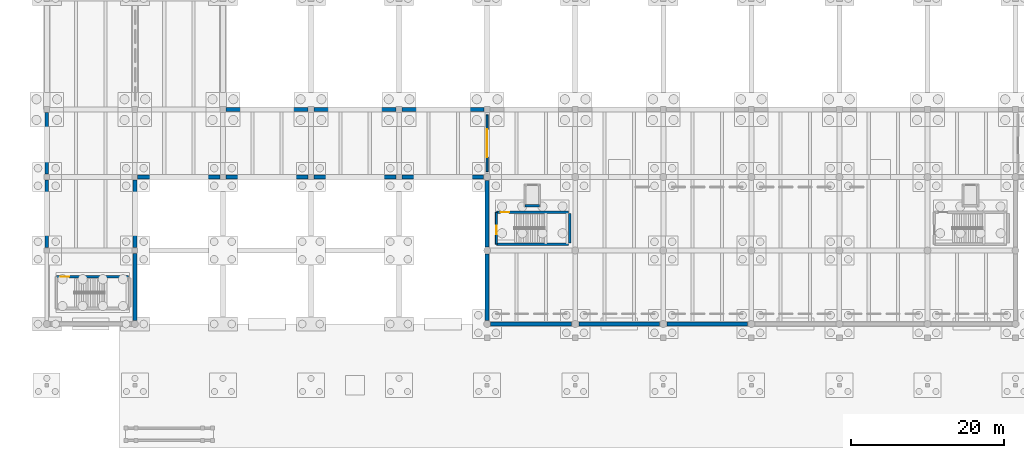
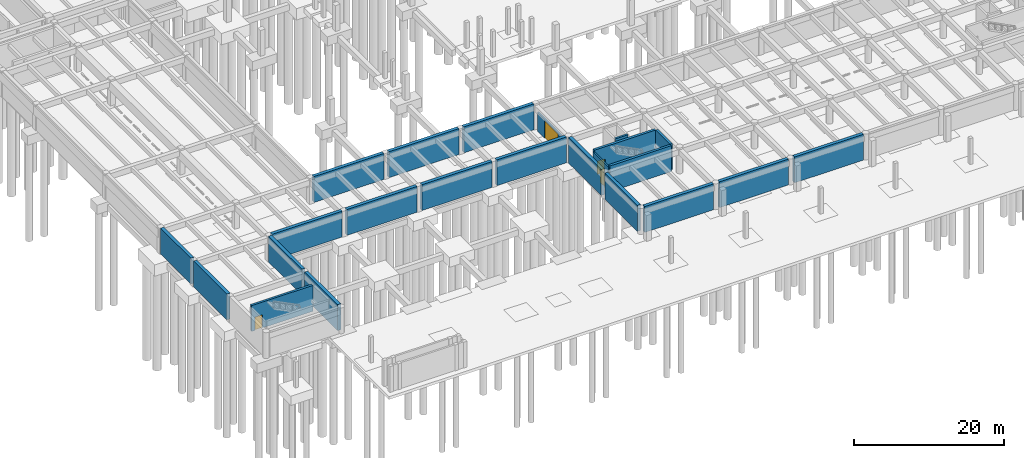
# One storey, part 17 of 28: 23 walls, 4 doors, 4 openings.
"""IFC4 building model written with IfcOpenShell, lengths in metres."""

from ifc_helpers import new_model, si_unit, direction, frame, frame_2d, origin, place, context, subcontext, project, spatial, rectangle, extrude, material, layer, layer_set, type_object, element, fill, save


model = new_model("IFC4")

# Units and contexts
model_context = context("Model", 3, precision=1e-05, world=origin(), true_north=direction((0.0, 1.0)))
body_context = subcontext(model_context, "Body", "Model", "MODEL_VIEW")
ifc_project = project(units=[si_unit("LENGTHUNIT", "METRE"), si_unit("AREAUNIT", "SQUARE_METRE"), si_unit("VOLUMEUNIT", "CUBIC_METRE"), si_unit("PLANEANGLEUNIT", "RADIAN"), si_unit("MASSUNIT", "GRAM", prefix="KILO")], contexts=[model_context])

# Site, building, storey
site_placement = place(None, origin())
site = spatial("IfcSite", under=ifc_project, at=site_placement, CompositionType="ELEMENT")
building_placement = place(site_placement, origin())
building = spatial("IfcBuilding", under=site, at=building_placement, Name="Ologun Quay Terminus", CompositionType="ELEMENT")
storey_placement = place(building_placement, frame((0.0, 0.0, -8.39990234375)))
storey = spatial("IfcBuildingStorey", under=building, at=storey_placement, Name="B02", CompositionType="ELEMENT", Elevation=-8.39990234375)

# Walls
ifc_material_1 = material(Name="Concrete C35/45", Category="concrete")
ifc_layer_1 = layer(ifc_material_1, 0.5)
ifc_layer_set_1 = layer_set([ifc_layer_1], Name="Concrete C35/45")
wall_type_1 = type_object("IfcWallType", Name="Basement Perimeter Retaining Wall 500", PredefinedType="SHEAR", material=ifc_layer_set_1)
wall_1_placement = place(storey_placement, frame((11.5, 8.469970703125, 0.0), z_axis=(0.0, 0.0, 1.0), x_axis=(0.0, 1.0, 0.0)))
element("IfcWall", 1, at=wall_1_placement, inside=storey, type_object=wall_type_1, Name="Retaining Wall S2-Y1 B02", PredefinedType="SHEAR", context=body_context, shape_type="SweptSolid", body=[
    extrude(rectangle(XDim=8.760009765625, YDim=0.5, at=frame_2d((4.3798828125, 0.0))), origin(), (0.0, 0.0, 1.0), 4.199951171875),
])
wall_2_placement = place(storey_placement, frame((11.5, 17.969970703125, 0.0), z_axis=(0.0, 0.0, 1.0), x_axis=(0.0, 1.0, 0.0)))
element("IfcWall", 2, at=wall_2_placement, inside=storey, type_object=wall_type_1, Name="Retaining Wall S2-Y2 B02", PredefinedType="SHEAR", context=body_context, shape_type="SweptSolid", body=[
    extrude(rectangle(XDim=8.860107421875, YDim=0.5, at=frame_2d((4.43017578125, 0.0))), origin(), (0.0, 0.0, 1.0), 4.199951171875),
])
for number, where, z_axis, x_axis, name in (
    (3, (11.8701171875, 27.199951171875, 0.0), (0.0, 0.0, 1.0), (1.0, 0.0, 0.0), "Retaining Wall S3-2 B02"),
    (4, (23.3701171875, 27.199951171875, 0.0), (0.0, 0.0, 1.0), (1.0, 0.0, 0.0), "Retaining Wall S3-3 B02"),
    (5, (34.8701171875, 27.199951171875, 0.0), (0.0, 0.0, 1.0), (1.0, 0.0, 0.0), "Retaining Wall S3-4 B02"),
):
    element("IfcWall", number, at=place(storey_placement, frame(where, z_axis=z_axis, x_axis=x_axis)), inside=storey, type_object=wall_type_1, Name=name, PredefinedType="SHEAR", context=body_context, shape_type="SweptSolid", body=[
        extrude(rectangle(XDim=10.759765625, YDim=0.5, at=frame_2d((5.3798828125, 0.0))), origin(), (0.0, 0.0, 1.0), 4.199951171875),
    ])
wall_3_placement = place(storey_placement, frame((46.3701171875, 27.199951171875, 0.0), z_axis=(0.0, 0.0, 1.0), x_axis=(1.0, 0.0, 0.0)))
element("IfcWall", 6, at=wall_3_placement, inside=storey, type_object=wall_type_1, Name="Retaining Wall S3-5 B02", PredefinedType="SHEAR", context=body_context, shape_type="SweptSolid", body=[
    extrude(rectangle(XDim=10.659912109375, YDim=0.5, at=frame_2d((5.330078125, 0.0))), origin(), (0.0, 0.0, 1.0), 4.199951171875),
])
for number, where, z_axis, x_axis, name in (
    (7, (57.5, 8.469970703125, 0.0), (0.0, 0.0, 1.0), (0.0, 1.0, 0.0), "Retaining Wall S4-Y1 B02"),
    (8, (57.5, 18.070068359375, 0.0), (0.0, 0.0, 1.0), (0.0, 1.0, 0.0), "Retaining Wall S4-Y2 B02"),
):
    element("IfcWall", number, at=place(storey_placement, frame(where, z_axis=z_axis, x_axis=x_axis)), inside=storey, type_object=wall_type_1, Name=name, PredefinedType="SHEAR", context=body_context, shape_type="SweptSolid", body=[
        extrude(rectangle(XDim=8.659912109375, YDim=0.5, at=frame_2d((4.330078125, 0.0))), origin(), (0.0, 0.0, 1.0), 4.199951171875),
    ])
for number, where, z_axis, x_axis, name in (
    (9, (57.969970703125, 8.0, 0.0), (0.0, 0.0, 1.0), (1.0, 0.0, 0.0), "Retaining Wall S5-6 B02"),
    (10, (69.469970703125, 8.0, 0.0), (0.0, 0.0, 1.0), (1.0, 0.0, 0.0), "Retaining Wall S5-7 B02"),
    (11, (80.969970703125, 8.0, 0.0), (0.0, 0.0, 1.0), (1.0, 0.0, 0.0), "Retaining Wall S5-8 B02"),
):
    element("IfcWall", number, at=place(storey_placement, frame(where, z_axis=z_axis, x_axis=x_axis)), inside=storey, type_object=wall_type_1, Name=name, PredefinedType="SHEAR", context=body_context, shape_type="SweptSolid", body=[
        extrude(rectangle(XDim=10.56005859375, YDim=0.5, at=frame_2d((5.280029296875, 0.0))), origin(), (0.0, 0.0, 1.0), 4.199951171875),
    ])
wall_4_placement = place(storey_placement, frame((0.0, 17.969970703125, 0.0), z_axis=(0.0, 0.0, 1.0), x_axis=(0.0, 1.0, 0.0)))
element("IfcWall", 12, at=wall_4_placement, inside=storey, type_object=wall_type_1, Name="Retaining Wall WG-Y2 B02", PredefinedType="SHEAR", context=body_context, shape_type="SweptSolid", body=[
    extrude(rectangle(XDim=8.860107421875, YDim=0.5, at=frame_2d((4.43017578125, 0.0))), origin(), (0.0, 0.0, 1.0), 4.199951171875),
])
wall_5_placement = place(storey_placement, frame((0.0, 27.570068359375, 0.0), z_axis=(0.0, 0.0, 1.0), x_axis=(0.0, 1.0, 0.0)))
element("IfcWall", 13, at=wall_5_placement, inside=storey, type_object=wall_type_1, Name="Retaining Wall WG-Y3 B02", PredefinedType="SHEAR", context=body_context, shape_type="SweptSolid", body=[
    extrude(rectangle(XDim=8.034912109375, YDim=0.5, at=frame_2d((4.017578125, 0.0))), origin(), (0.0, 0.0, 1.0), 4.199951171875),
])
for number, where, z_axis, x_axis, name in (
    (14, (23.39501953125, 36.0, 0.0), (0.0, 0.0, 1.0), (1.0, 0.0, 0.0), "Retaining Wall TS-3 B02"),
    (15, (34.89501953125, 36.0, 0.0), (0.0, 0.0, 1.0), (1.0, 0.0, 0.0), "Retaining Wall TS-4 B02"),
    (16, (46.39501953125, 36.0, 0.0), (0.0, 0.0, 1.0), (1.0, 0.0, 0.0), "Retaining Wall TS-5 B02"),
):
    element("IfcWall", number, at=place(storey_placement, frame(where, z_axis=z_axis, x_axis=x_axis)), inside=storey, type_object=wall_type_1, Name=name, PredefinedType="SHEAR", context=body_context, shape_type="SweptSolid", body=[
        extrude(rectangle(XDim=10.7099609375, YDim=0.5, at=frame_2d((5.35498046875, 0.0))), origin(), (0.0, 0.0, 1.0), 4.199951171875),
    ])

# Wall, opening, door
ifc_material_2 = material(Name="Concrete C40/50", Category="concrete")
ifc_layer_2 = layer(ifc_material_2, 0.239990234375)
ifc_layer_set_2 = layer_set([ifc_layer_2], Name="Concrete C40/50")
wall_type_2 = type_object("IfcWallType", Name="Fire Compartment Blockwork Wall 240", PredefinedType="SOLIDWALL", material=ifc_layer_set_2)
wall_6_placement = place(storey_placement, frame((58.699951171875, 18.419921875, 0.0), z_axis=(0.0, 0.0, 1.0), x_axis=(0.0, 1.0, 0.0)))
wall_6 = element("IfcWall", 17, at=wall_6_placement, inside=storey, type_object=wall_type_2, Name="PW-01 Partition ST-S3-W", PredefinedType="SOLIDWALL", context=body_context, shape_type="SweptSolid", body=[
    extrude(rectangle(XDim=4.16015625, YDim=0.239990234375, at=frame_2d((2.080078125, 0.0))), origin(), (0.0, 0.0, 1.0), 3.89990234375),
])
opening_1_placement = place(wall_6_placement, frame((1.300048828125, 0.0, 0.0)))
opening_1 = element("IfcOpeningElement", 18, at=opening_1_placement, cuts=wall_6, Name="Opening ID-248", PredefinedType="OPENING", context=body_context, shape_type="SweptSolid", body=[
    extrude(rectangle(XDim=1.1298828125, YDim=2.14990234375, at=frame_2d((0.56494140625, 1.074951171875))), frame((0.0, 0.1298828125, 0.0), z_axis=(0.0, -1.0, 0.0), x_axis=(1.0, 0.0, 0.0)), (0.0, 0.0, 1.0), 0.260009765625),
])
ifc_material_3 = material(Name="Steel S355", Category="steel")
door_type_1 = type_object("IfcDoorType", Name="Stairwell Fire Escape Door 1130x2150", OperationType="SINGLE_SWING_LEFT", PredefinedType="DOOR", material=ifc_material_3)
door_1_placement = place(opening_1_placement, frame((0.56494140625, 0.0, 0.0), z_axis=(0.0, 0.0, 1.0), x_axis=(-1.0, 0.0, 0.0)))
door_1 = element("IfcDoor", 19, at=door_1_placement, inside=storey, type_object=door_type_1, Name="FD-01 Door ID-248", OperationType="SINGLE_SWING_LEFT", OverallHeight=2.14990234375, OverallWidth=1.1298828125, PredefinedType="DOOR", context=body_context, shape_type="SweptSolid", body=[
    extrude(rectangle(XDim=1.1298828125, YDim=2.14990234375, at=frame_2d((0.0, 1.074951171875))), frame((0.0, 0.02490234375, 0.0), z_axis=(0.0, -1.0, 0.0), x_axis=(1.0, 0.0, 0.0)), (0.0, 0.0, 1.0), 0.050048828125),
])
fill(opening_1, door_1)

wall_7_placement = place(storey_placement, frame((57.5, 27.89990234375, 0.0), z_axis=(0.0, 0.0, 1.0), x_axis=(0.0, 1.0, 0.0)))
wall_7 = element("IfcWall", 20, at=wall_7_placement, inside=storey, type_object=wall_type_2, Name="PW-01 Partition B02-SouthCPK-Portal", PredefinedType="SOLIDWALL", context=body_context, shape_type="SweptSolid", body=[
    extrude(rectangle(XDim=7.400146484375, YDim=0.239990234375, at=frame_2d((3.7001953125, 0.0))), origin(), (0.0, 0.0, 1.0), 3.02001953125),
])
opening_2_placement = place(wall_7_placement, frame((1.89990234375, 0.0, 0.0)))
opening_2 = element("IfcOpeningElement", 21, at=opening_2_placement, cuts=wall_7, Name="Opening ID-284", PredefinedType="OPENING", context=body_context, shape_type="SweptSolid", body=[
    extrude(rectangle(XDim=3.60009765625, YDim=2.800048828125, at=frame_2d((1.800048828125, 1.39990234375))), frame((0.0, 0.1298828125, 0.0), z_axis=(0.0, -1.0, 0.0), x_axis=(1.0, 0.0, 0.0)), (0.0, 0.0, 1.0), 0.260009765625),
])
ifc_material_4 = material(Name="Steel S355", Category="steel")
door_type_2 = type_object("IfcDoorType", Name="Car Park Chamber Roller Shutter Gate 3600x2800", OperationType="ROLLINGUP", PredefinedType="GATE", material=ifc_material_4)
door_2_placement = place(opening_2_placement, origin())
door_2 = element("IfcDoor", 22, at=door_2_placement, inside=storey, type_object=door_type_2, Name="VD-01 Door ID-284", OperationType="ROLLINGUP", OverallHeight=2.800048828125, OverallWidth=3.60009765625, PredefinedType="GATE", context=body_context, shape_type="SweptSolid", body=[
    extrude(rectangle(XDim=3.60009765625, YDim=2.800048828125, at=frame_2d((1.800048828125, 1.39990234375))), frame((0.0, 0.02490234375, 0.0), z_axis=(0.0, -1.0, 0.0), x_axis=(1.0, 0.0, 0.0)), (0.0, 0.0, 1.0), 0.050048828125),
])
fill(opening_2, door_2)

# Walls
ifc_material_5 = material(Name="Concrete C40/50", Category="concrete")
ifc_layer_3 = layer(ifc_material_5, 0.300048828125)
ifc_layer_set_3 = layer_set([ifc_layer_3], Name="Concrete C40/50")
wall_type_3 = type_object("IfcWallType", Name="Lift Shaft Structural Shear Wall 300", PredefinedType="SHEAR", material=ifc_layer_set_3)
wall_8_placement = place(storey_placement, frame((62.449951171875, 23.449951171875, 0.0), z_axis=(0.0, 0.0, 1.0), x_axis=(1.0, 0.0, 0.0)))
element("IfcWall", 23, at=wall_8_placement, inside=storey, type_object=wall_type_3, Name="Lift PL-S1 Shaft Wall S B02", PredefinedType="SHEAR", context=body_context, shape_type="SweptSolid", body=[
    extrude(rectangle(XDim=1.900146484375, YDim=0.300048828125, at=frame_2d((0.9501953125, 0.0))), origin(), (0.0, 0.0, 1.0), 4.199951171875),
])
ifc_material_6 = material(Name="Concrete C40/50", Category="concrete")
ifc_layer_4 = layer(ifc_material_6, 0.3798828125)
ifc_layer_set_4 = layer_set([ifc_layer_4], Name="Concrete C40/50")
wall_type_4 = type_object("IfcWallType", Name="Platform Spine Shear Wall 380", PredefinedType="SHEAR", material=ifc_layer_set_4)
wall_9_placement = place(storey_placement, frame((58.699951171875, 18.409912109375, 0.0), z_axis=(0.0, 0.0, 1.0), x_axis=(1.0, 0.0, 0.0)))
element("IfcWall", 24, at=wall_9_placement, inside=storey, type_object=wall_type_4, Name="Station Core 3 S Shear Wall B02", PredefinedType="SHEAR", context=body_context, shape_type="SweptSolid", body=[
    extrude(rectangle(XDim=9.400146484375, YDim=0.3798828125, at=frame_2d((4.7001953125, 0.0))), origin(), (0.0, 0.0, 1.0), 4.199951171875),
])

# Wall, opening, door
wall_10_placement = place(storey_placement, frame((58.699951171875, 22.590087890625, 0.0), z_axis=(0.0, 0.0, 1.0), x_axis=(1.0, 0.0, 0.0)))
wall_10 = element("IfcWall", 25, at=wall_10_placement, inside=storey, type_object=wall_type_4, Name="Station Core 3 N Shear Wall B02", PredefinedType="SHEAR", context=body_context, shape_type="SweptSolid", body=[
    extrude(rectangle(XDim=9.400146484375, YDim=0.3798828125, at=frame_2d((4.7001953125, 0.0))), origin(), (0.0, 0.0, 1.0), 4.199951171875),
])
opening_3_placement = place(wall_10_placement, frame((0.550048828125, 0.0, 0.0)))
opening_3 = element("IfcOpeningElement", 26, at=opening_3_placement, cuts=wall_10, Name="Opening ID-249", PredefinedType="OPENING", context=body_context, shape_type="SweptSolid", body=[
    extrude(rectangle(XDim=1.1298828125, YDim=2.14990234375, at=frame_2d((0.56494140625, 1.074951171875))), frame((0.0, 0.199951171875, 0.0), z_axis=(0.0, -1.0, 0.0), x_axis=(1.0, 0.0, 0.0)), (0.0, 0.0, 1.0), 0.39990234375),
])
door_3_placement = place(opening_3_placement, frame((0.56494140625, 0.0, 0.0), z_axis=(0.0, 0.0, 1.0), x_axis=(-1.0, 0.0, 0.0)))
door_3 = element("IfcDoor", 27, at=door_3_placement, inside=storey, type_object=door_type_1, Name="FD-01 Door ID-249", OperationType="SINGLE_SWING_LEFT", OverallHeight=2.14990234375, OverallWidth=1.1298828125, PredefinedType="DOOR", context=body_context, shape_type="SweptSolid", body=[
    extrude(rectangle(XDim=1.1298828125, YDim=2.14990234375, at=frame_2d((0.0, 1.074951171875))), frame((0.0, 0.02490234375, 0.0), z_axis=(0.0, -1.0, 0.0), x_axis=(1.0, 0.0, 0.0)), (0.0, 0.0, 1.0), 0.050048828125),
])
fill(opening_3, door_3)

# Wall
wall_11_placement = place(storey_placement, frame((68.2900390625, 18.60009765625, 0.0), z_axis=(0.0, 0.0, 1.0), x_axis=(0.0, 1.0, 0.0)))
element("IfcWall", 28, at=wall_11_placement, inside=storey, type_object=wall_type_4, Name="Station Core 3 E Shear Wall B02", PredefinedType="SHEAR", context=body_context, shape_type="SweptSolid", body=[
    extrude(rectangle(XDim=3.7998046875, YDim=0.3798828125, at=frame_2d((1.89990234375, 0.0))), origin(), (0.0, 0.0, 1.0), 4.199951171875),
])

# Wall, opening, door
ifc_material_7 = material(Name="Concrete C40/50", Category="concrete")
ifc_layer_5 = layer(ifc_material_7, 0.35009765625)
ifc_layer_set_5 = layer_set([ifc_layer_5], Name="Concrete C40/50")
wall_type_5 = type_object("IfcWallType", Name="Station Core Shear Wall 350", PredefinedType="SHEAR", material=ifc_layer_set_5)
wall_12_placement = place(storey_placement, frame((1.25, 14.175048828125, 0.0), z_axis=(0.0, 0.0, 1.0), x_axis=(1.0, 0.0, 0.0)))
wall_12 = element("IfcWall", 29, at=wall_12_placement, inside=storey, type_object=wall_type_5, Name="Station Core 1 N Shear Wall B02", PredefinedType="SHEAR", context=body_context, shape_type="SweptSolid", body=[
    extrude(rectangle(XDim=9.39990234375, YDim=0.35009765625, at=frame_2d((4.699951171875, 0.0))), origin(), (0.0, 0.0, 1.0), 4.199951171875),
])
opening_4_placement = place(wall_12_placement, frame((0.550048828125, 0.0, 0.0)))
opening_4 = element("IfcOpeningElement", 30, at=opening_4_placement, cuts=wall_12, Name="Opening ID-231", PredefinedType="OPENING", context=body_context, shape_type="SweptSolid", body=[
    extrude(rectangle(XDim=1.1298828125, YDim=2.14990234375, at=frame_2d((0.56494140625, 1.074951171875))), frame((0.0, 0.18505859375, 0.0), z_axis=(0.0, -1.0, 0.0), x_axis=(1.0, 0.0, 0.0)), (0.0, 0.0, 1.0), 0.3701171875),
])
door_4_placement = place(opening_4_placement, frame((0.56494140625, 0.0, 0.0), z_axis=(0.0, 0.0, 1.0), x_axis=(-1.0, 0.0, 0.0)))
door_4 = element("IfcDoor", 31, at=door_4_placement, inside=storey, type_object=door_type_1, Name="FD-01 Door ID-231", OperationType="SINGLE_SWING_LEFT", OverallHeight=2.14990234375, OverallWidth=1.1298828125, PredefinedType="DOOR", context=body_context, shape_type="SweptSolid", body=[
    extrude(rectangle(XDim=1.1298828125, YDim=2.14990234375, at=frame_2d((0.0, 1.074951171875))), frame((0.0, 0.02490234375, 0.0), z_axis=(0.0, -1.0, 0.0), x_axis=(1.0, 0.0, 0.0)), (0.0, 0.0, 1.0), 0.050048828125),
])
fill(opening_4, door_4)

save(model, "model.ifc")
